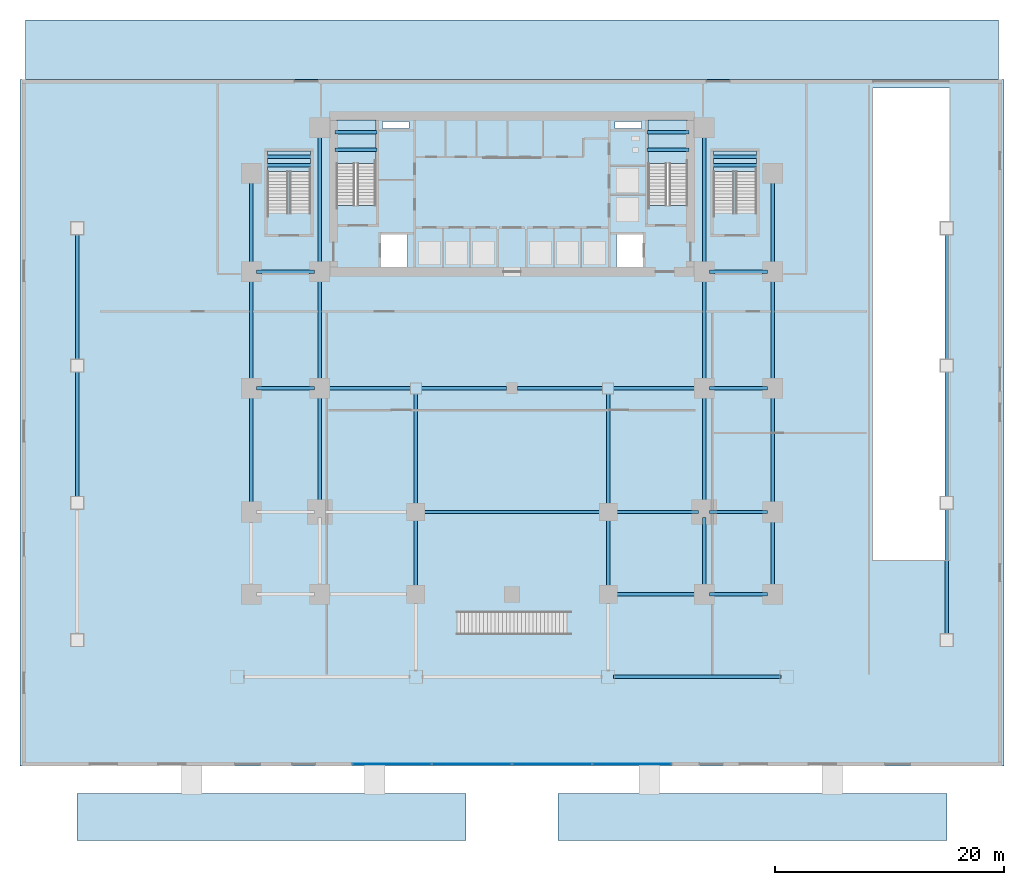
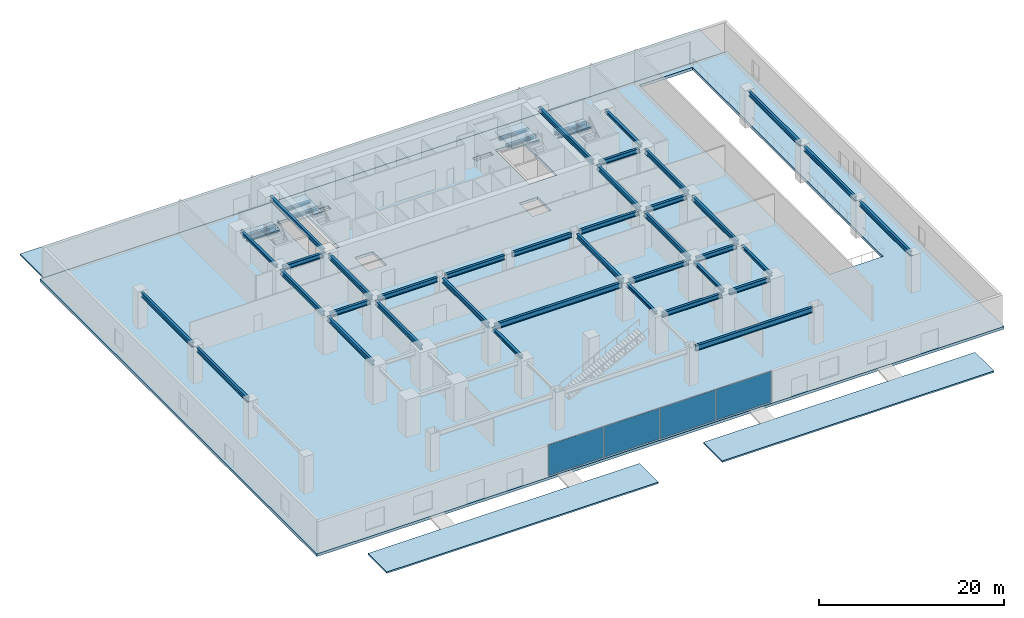
# One storey, part 7 of 18: 45 beams, 8 slabs, 4 plates, 5 elements without a shape of their own.
"""IFC4 building model written with IfcOpenShell, lengths in metres."""

from ifc_helpers import new_model, si_unit, direction, frame, origin, origin_2d, place, context, subcontext, project, spatial, polyline, rectangle, i_section, outline, extrude, source, transform, mapped, material, layer, layer_set, material_profile, profile_set, type_object, element, aggregate, save


model = new_model("IFC4")

# Units and contexts
model_context = context("Model", 3, precision=1e-05, world=origin(), true_north=direction((0.0, 1.0)))
body_context = subcontext(model_context, "Body", "Model", "MODEL_VIEW")
ifc_project = project(units=[si_unit("LENGTHUNIT", "METRE"), si_unit("AREAUNIT", "SQUARE_METRE"), si_unit("VOLUMEUNIT", "CUBIC_METRE"), si_unit("PLANEANGLEUNIT", "RADIAN"), si_unit("MASSUNIT", "GRAM", prefix="KILO")], contexts=[model_context])

# Site, building, storey
site_placement = place(None, origin())
site = spatial("IfcSite", under=ifc_project, at=site_placement, CompositionType="ELEMENT")
building_placement = place(site_placement, origin())
building = spatial("IfcBuilding", under=site, at=building_placement, Name="Sumidabori Civic Tower", CompositionType="ELEMENT")
storey_placement = place(building_placement, origin())
storey = spatial("IfcBuildingStorey", under=building, at=storey_placement, Name="L00", CompositionType="ELEMENT", Elevation=0.0)

# Beams
ifc_material_1 = material(Name="Steel SN490", Category="steel")
ifc_material_profile_1 = material_profile(ifc_material_1, i_section(OverallWidth=0.300048828125, OverallDepth=0.300048828125, WebThickness=0.010986328125, FlangeThickness=0.01904296875, at=origin_2d()), Name="HE 300 B")
ifc_profile_set_1 = profile_set([ifc_material_profile_1], Name="Steel SN490")
beam_type_1 = type_object("IfcBeamType", Name="BM-LDG-300", PredefinedType="BEAM", material=ifc_profile_set_1)
shared_shape_1 = source(origin(), body_context, "Body", "SweptSolid", [
    extrude(i_section(OverallWidth=0.300048828125, OverallDepth=0.300048828125, WebThickness=0.010986328125, FlangeThickness=0.01904296875, at=origin_2d()), origin(), (0.0, 0.0, 1.0), 3.64990234375),
])
for number, where, z_axis, x_axis, name in (
    (1, (-15.449951171875, 20.859130859375, 2.14990234375), (1.0, 0.0, 0.0), (0.0, 1.0, 0.0), "Stair ST-1 Landing Support Beam L00-1A"),
    (2, (-15.449951171875, 22.38330078125, 2.14990234375), (1.0, 0.0, 0.0), (0.0, 1.0, 0.0), "Stair ST-1 Landing Trimmer Beam L00-1B"),
    (3, (11.800048828125, 20.859130859375, 2.14990234375), (1.0, 0.0, 0.0), (0.0, 1.0, 0.0), "Stair ST-2 Landing Support Beam L00-1A"),
    (4, (11.800048828125, 22.38330078125, 2.14990234375), (1.0, 0.0, 0.0), (0.0, 1.0, 0.0), "Stair ST-2 Landing Trimmer Beam L00-1B"),
):
    element("IfcBeam", number, at=place(storey_placement, frame(where, z_axis=z_axis, x_axis=x_axis)), inside=storey, type_object=beam_type_1, Name=name, PredefinedType="BEAM", context=body_context, shape_type="MappedRepresentation", body=[
        mapped(shared_shape_1, transform((0.0, 0.0, 0.0), x_axis=(1.0, 0.0, 0.0), y_axis=(0.0, 1.0, 0.0), z_axis=(0.0, 0.0, 1.0), scale=1.0)),
    ])
ifc_material_profile_2 = material_profile(ifc_material_1, i_section(OverallWidth=0.300048828125, OverallDepth=0.699951171875, WebThickness=0.01708984375, FlangeThickness=0.031982421875, at=origin_2d()), Name="HE 700 B")
ifc_profile_set_2 = profile_set([ifc_material_profile_2], Name="Steel SN490")
beam_type_2 = type_object("IfcBeamType", Name="BM-GIRD-700", PredefinedType="BEAM", material=ifc_profile_set_2)
shared_shape_2 = source(origin(), body_context, "Body", "SweptSolid", [
    extrude(i_section(OverallWidth=0.300048828125, OverallDepth=0.699951171875, WebThickness=0.01708984375, FlangeThickness=0.031982421875, at=origin_2d()), origin(), (0.0, 0.0, 1.0), 14.64013671875),
])
beam_1_placement = place(storey_placement, frame((8.8798828125, -25.199951171875, 4.3701171875), z_axis=(1.0, 0.0, 0.0), x_axis=(0.0, 1.0, 0.0)))
element("IfcBeam", 5, at=beam_1_placement, inside=storey, type_object=beam_type_2, Name="Primary Girder L00 GX-03", PredefinedType="BEAM", context=body_context, shape_type="MappedRepresentation", body=[
    mapped(shared_shape_2, transform((0.0, 0.0, 0.0), x_axis=(1.0, 0.0, 0.0), y_axis=(0.0, 1.0, 0.0), z_axis=(0.0, 0.0, 1.0), scale=1.0)),
])
shared_shape_3 = source(origin(), body_context, "Body", "SweptSolid", [
    extrude(i_section(OverallWidth=0.300048828125, OverallDepth=0.699951171875, WebThickness=0.01708984375, FlangeThickness=0.031982421875, at=origin_2d()), origin(), (0.0, 0.0, 1.0), 15.83984375),
])
beam_2_placement = place(storey_placement, frame((-7.919921875, -10.800048828125, 4.3701171875), z_axis=(1.0, 0.0, 0.0), x_axis=(0.0, 1.0, 0.0)))
element("IfcBeam", 6, at=beam_2_placement, inside=storey, type_object=beam_type_2, Name="Primary Girder L00 GX-10", PredefinedType="BEAM", context=body_context, shape_type="MappedRepresentation", body=[
    mapped(shared_shape_3, transform((0.0, 0.0, 0.0), x_axis=(1.0, 0.0, 0.0), y_axis=(0.0, 1.0, 0.0), z_axis=(0.0, 0.0, 1.0), scale=1.0)),
])
ifc_material_profile_3 = material_profile(ifc_material_1, i_section(OverallWidth=0.300048828125, OverallDepth=0.60009765625, WebThickness=0.015380859375, FlangeThickness=0.030029296875, at=origin_2d()), Name="HE 600 B")
ifc_profile_set_3 = profile_set([ifc_material_profile_3], Name="Steel SN490")
beam_type_3 = type_object("IfcBeamType", Name="BM-GIRD-600", PredefinedType="BEAM", material=ifc_profile_set_3)
shared_shape_4 = source(origin(), body_context, "Body", "SweptSolid", [
    extrude(i_section(OverallWidth=0.300048828125, OverallDepth=0.60009765625, WebThickness=0.015380859375, FlangeThickness=0.030029296875, at=origin_2d()), origin(), (0.0, 0.0, 1.0), 5.0400390625),
])
for number, where, z_axis, x_axis, name in (
    (7, (17.280029296875, -18.0, 4.419921875), (1.0, 0.0, 0.0), (0.0, 1.0, 0.0), "Primary Girder L00 GX-07"),
    (8, (17.280029296875, -10.800048828125, 4.419921875), (1.0, 0.0, 0.0), (0.0, 1.0, 0.0), "Primary Girder L00 GX-12"),
    (9, (-22.320068359375, 0.0, 4.419921875), (1.0, 0.0, 0.0), (0.0, 1.0, 0.0), "Primary Girder L00 GX-13"),
    (10, (17.280029296875, 0.0, 4.419921875), (1.0, 0.0, 0.0), (0.0, 1.0, 0.0), "Primary Girder L00 GX-18"),
    (11, (-22.320068359375, 10.199951171875, 4.419921875), (1.0, 0.0, 0.0), (0.0, 1.0, 0.0), "Primary Girder L00 GX-19"),
    (12, (17.280029296875, 10.199951171875, 4.419921875), (1.0, 0.0, 0.0), (0.0, 1.0, 0.0), "Primary Girder L00 GX-20"),
):
    element("IfcBeam", number, at=place(storey_placement, frame(where, z_axis=z_axis, x_axis=x_axis)), inside=storey, type_object=beam_type_3, Name=name, PredefinedType="BEAM", context=body_context, shape_type="MappedRepresentation", body=[
        mapped(shared_shape_4, transform((0.0, 0.0, 0.0), x_axis=(1.0, 0.0, 0.0), y_axis=(0.0, 1.0, 0.0), z_axis=(0.0, 0.0, 1.0), scale=1.0)),
    ])
shared_shape_5 = source(origin(), body_context, "Body", "SweptSolid", [
    extrude(i_section(OverallWidth=0.300048828125, OverallDepth=0.60009765625, WebThickness=0.015380859375, FlangeThickness=0.030029296875, at=origin_2d()), origin(), (0.0, 0.0, 1.0), 7.440185546875),
])
for number, where, z_axis, x_axis, name in (
    (13, (8.8798828125, -18.0, 4.419921875), (1.0, 0.0, 0.0), (0.0, 1.0, 0.0), "Primary Girder L00 GX-06"),
    (14, (8.8798828125, -10.800048828125, 4.419921875), (1.0, 0.0, 0.0), (0.0, 1.0, 0.0), "Primary Girder L00 GX-11"),
    (15, (-16.320068359375, 0.0, 4.419921875), (1.0, 0.0, 0.0), (0.0, 1.0, 0.0), "Primary Girder L00 GX-14"),
    (16, (8.8798828125, 0.0, 4.419921875), (1.0, 0.0, 0.0), (0.0, 1.0, 0.0), "Primary Girder L00 GX-17"),
):
    element("IfcBeam", number, at=place(storey_placement, frame(where, z_axis=z_axis, x_axis=x_axis)), inside=storey, type_object=beam_type_3, Name=name, PredefinedType="BEAM", context=body_context, shape_type="MappedRepresentation", body=[
        mapped(shared_shape_5, transform((0.0, 0.0, 0.0), x_axis=(1.0, 0.0, 0.0), y_axis=(0.0, 1.0, 0.0), z_axis=(0.0, 0.0, 1.0), scale=1.0)),
    ])
shared_shape_6 = source(origin(), body_context, "Body", "SweptSolid", [
    extrude(i_section(OverallWidth=0.300048828125, OverallDepth=0.60009765625, WebThickness=0.015380859375, FlangeThickness=0.030029296875, at=origin_2d()), origin(), (0.0, 0.0, 1.0), 7.43994140625),
])
for number, where, z_axis, x_axis, name in (
    (17, (-7.919921875, 0.0, 4.419921875), (1.0, 0.0, 0.0), (0.0, 1.0, 0.0), "Primary Girder L00 GX-15"),
    (18, (0.47998046875, 0.0, 4.419921875), (1.0, 0.0, 0.0), (0.0, 1.0, 0.0), "Primary Girder L00 GX-16"),
):
    element("IfcBeam", number, at=place(storey_placement, frame(where, z_axis=z_axis, x_axis=x_axis)), inside=storey, type_object=beam_type_3, Name=name, PredefinedType="BEAM", context=body_context, shape_type="MappedRepresentation", body=[
        mapped(shared_shape_6, transform((0.0, 0.0, 0.0), x_axis=(1.0, 0.0, 0.0), y_axis=(0.0, 1.0, 0.0), z_axis=(0.0, 0.0, 1.0), scale=1.0)),
    ])
shared_shape_7 = source(origin(), body_context, "Body", "SweptSolid", [
    extrude(i_section(OverallWidth=0.300048828125, OverallDepth=0.60009765625, WebThickness=0.015380859375, FlangeThickness=0.030029296875, at=origin_2d()), origin(), (0.0, 0.0, 1.0), 11.0400390625),
])
for number, where, z_axis, x_axis, name in (
    (19, (-38.0, -9.52001953125, 4.419921875), (0.0, 1.0, 0.0), (-1.0, 0.0, 0.0), "Primary Girder L00 GY-22"),
    (20, (-38.0, 2.47998046875, 4.419921875), (0.0, 1.0, 0.0), (-1.0, 0.0, 0.0), "Primary Girder L00 GY-23"),
    (21, (38.0, -21.52001953125, 4.419921875), (0.0, 1.0, 0.0), (-1.0, 0.0, 0.0), "Primary Girder L00 GY-46"),
    (22, (38.0, -9.52001953125, 4.419921875), (0.0, 1.0, 0.0), (-1.0, 0.0, 0.0), "Primary Girder L00 GY-47"),
    (23, (38.0, 2.47998046875, 4.419921875), (0.0, 1.0, 0.0), (-1.0, 0.0, 0.0), "Primary Girder L00 GY-48"),
):
    element("IfcBeam", number, at=place(storey_placement, frame(where, z_axis=z_axis, x_axis=x_axis)), inside=storey, type_object=beam_type_3, Name=name, PredefinedType="BEAM", context=body_context, shape_type="MappedRepresentation", body=[
        mapped(shared_shape_7, transform((0.0, 0.0, 0.0), x_axis=(1.0, 0.0, 0.0), y_axis=(0.0, 1.0, 0.0), z_axis=(0.0, 0.0, 1.0), scale=1.0)),
    ])
ifc_material_profile_4 = material_profile(ifc_material_1, i_section(OverallWidth=0.300048828125, OverallDepth=0.39990234375, WebThickness=0.013427734375, FlangeThickness=0.02392578125, at=origin_2d()), Name="HE 400 B")
ifc_profile_set_4 = profile_set([ifc_material_profile_4], Name="Steel SN490")
beam_type_4 = type_object("IfcBeamType", Name="BM-GIRD-400", PredefinedType="BEAM", material=ifc_profile_set_4)
shared_shape_8 = source(origin(), body_context, "Body", "SweptSolid", [
    extrude(i_section(OverallWidth=0.300048828125, OverallDepth=0.39990234375, WebThickness=0.013427734375, FlangeThickness=0.02392578125, at=origin_2d()), origin(), (0.0, 0.0, 1.0), 6.239990234375),
])
for number, where, z_axis, x_axis, name in (
    (24, (-8.39990234375, -17.52001953125, 4.52001953125), (0.0, 1.0, 0.0), (-1.0, 0.0, 0.0), "Primary Girder L00 GY-33"),
    (25, (8.39990234375, -17.52001953125, 4.52001953125), (0.0, 1.0, 0.0), (-1.0, 0.0, 0.0), "Primary Girder L00 GY-36"),
    (26, (16.800048828125, -17.52001953125, 4.52001953125), (0.0, 1.0, 0.0), (-1.0, 0.0, 0.0), "Primary Girder L00 GY-38"),
    (27, (22.800048828125, -17.52001953125, 4.52001953125), (0.0, 1.0, 0.0), (-1.0, 0.0, 0.0), "Primary Girder L00 GY-42"),
):
    element("IfcBeam", number, at=place(storey_placement, frame(where, z_axis=z_axis, x_axis=x_axis)), inside=storey, type_object=beam_type_4, Name=name, PredefinedType="BEAM", context=body_context, shape_type="MappedRepresentation", body=[
        mapped(shared_shape_8, transform((0.0, 0.0, 0.0), x_axis=(1.0, 0.0, 0.0), y_axis=(0.0, 1.0, 0.0), z_axis=(0.0, 0.0, 1.0), scale=1.0)),
    ])
shared_shape_9 = source(origin(), body_context, "Body", "SweptSolid", [
    extrude(i_section(OverallWidth=0.300048828125, OverallDepth=0.60009765625, WebThickness=0.015380859375, FlangeThickness=0.030029296875, at=origin_2d()), origin(), (0.0, 0.0, 1.0), 9.840087890625),
])
for number, where, z_axis, x_axis, name in (
    (28, (-22.800048828125, -10.320068359375, 4.419921875), (0.0, 1.0, 0.0), (-1.0, 0.0, 0.0), "Primary Girder L00 GY-25"),
    (29, (-16.800048828125, -10.320068359375, 4.419921875), (0.0, 1.0, 0.0), (-1.0, 0.0, 0.0), "Primary Girder L00 GY-29"),
    (30, (-8.39990234375, -10.320068359375, 4.419921875), (0.0, 1.0, 0.0), (-1.0, 0.0, 0.0), "Primary Girder L00 GY-34"),
    (31, (8.39990234375, -10.320068359375, 4.419921875), (0.0, 1.0, 0.0), (-1.0, 0.0, 0.0), "Primary Girder L00 GY-37"),
    (32, (16.800048828125, -10.320068359375, 4.419921875), (0.0, 1.0, 0.0), (-1.0, 0.0, 0.0), "Primary Girder L00 GY-39"),
    (33, (22.800048828125, -10.320068359375, 4.419921875), (0.0, 1.0, 0.0), (-1.0, 0.0, 0.0), "Primary Girder L00 GY-43"),
):
    element("IfcBeam", number, at=place(storey_placement, frame(where, z_axis=z_axis, x_axis=x_axis)), inside=storey, type_object=beam_type_3, Name=name, PredefinedType="BEAM", context=body_context, shape_type="MappedRepresentation", body=[
        mapped(shared_shape_9, transform((0.0, 0.0, 0.0), x_axis=(1.0, 0.0, 0.0), y_axis=(0.0, 1.0, 0.0), z_axis=(0.0, 0.0, 1.0), scale=1.0)),
    ])
shared_shape_10 = source(origin(), body_context, "Body", "SweptSolid", [
    extrude(i_section(OverallWidth=0.300048828125, OverallDepth=0.60009765625, WebThickness=0.015380859375, FlangeThickness=0.030029296875, at=origin_2d()), origin(), (0.0, 0.0, 1.0), 9.239990234375),
])
for number, where, z_axis, x_axis, name in (
    (34, (-22.800048828125, 0.47998046875, 4.419921875), (0.0, 1.0, 0.0), (-1.0, 0.0, 0.0), "Primary Girder L00 GY-26"),
    (35, (-16.800048828125, 0.47998046875, 4.419921875), (0.0, 1.0, 0.0), (-1.0, 0.0, 0.0), "Primary Girder L00 GY-30"),
    (36, (16.800048828125, 0.47998046875, 4.419921875), (0.0, 1.0, 0.0), (-1.0, 0.0, 0.0), "Primary Girder L00 GY-40"),
    (37, (22.800048828125, 0.47998046875, 4.419921875), (0.0, 1.0, 0.0), (-1.0, 0.0, 0.0), "Primary Girder L00 GY-44"),
):
    element("IfcBeam", number, at=place(storey_placement, frame(where, z_axis=z_axis, x_axis=x_axis)), inside=storey, type_object=beam_type_3, Name=name, PredefinedType="BEAM", context=body_context, shape_type="MappedRepresentation", body=[
        mapped(shared_shape_10, transform((0.0, 0.0, 0.0), x_axis=(1.0, 0.0, 0.0), y_axis=(0.0, 1.0, 0.0), z_axis=(0.0, 0.0, 1.0), scale=1.0)),
    ])
shared_shape_11 = source(origin(), body_context, "Body", "SweptSolid", [
    extrude(i_section(OverallWidth=0.300048828125, OverallDepth=0.39990234375, WebThickness=0.013427734375, FlangeThickness=0.02392578125, at=origin_2d()), origin(), (0.0, 0.0, 1.0), 7.64013671875),
])
for number, where, z_axis, x_axis, name in (
    (38, (-22.800048828125, 10.679931640625, 4.52001953125), (0.0, 1.0, 0.0), (-1.0, 0.0, 0.0), "Primary Girder L00 GY-27"),
    (39, (22.800048828125, 10.679931640625, 4.52001953125), (0.0, 1.0, 0.0), (-1.0, 0.0, 0.0), "Primary Girder L00 GY-45"),
):
    element("IfcBeam", number, at=place(storey_placement, frame(where, z_axis=z_axis, x_axis=x_axis)), inside=storey, type_object=beam_type_4, Name=name, PredefinedType="BEAM", context=body_context, shape_type="MappedRepresentation", body=[
        mapped(shared_shape_11, transform((0.0, 0.0, 0.0), x_axis=(1.0, 0.0, 0.0), y_axis=(0.0, 1.0, 0.0), z_axis=(0.0, 0.0, 1.0), scale=1.0)),
    ])
shared_shape_12 = source(origin(), body_context, "Body", "SweptSolid", [
    extrude(i_section(OverallWidth=0.300048828125, OverallDepth=0.60009765625, WebThickness=0.015380859375, FlangeThickness=0.030029296875, at=origin_2d()), origin(), (0.0, 0.0, 1.0), 11.64013671875),
])
for number, where, z_axis, x_axis, name in (
    (40, (-16.800048828125, 10.679931640625, 4.419921875), (0.0, 1.0, 0.0), (-1.0, 0.0, 0.0), "Primary Girder L00 GY-31"),
    (41, (16.800048828125, 10.679931640625, 4.419921875), (0.0, 1.0, 0.0), (-1.0, 0.0, 0.0), "Primary Girder L00 GY-41"),
):
    element("IfcBeam", number, at=place(storey_placement, frame(where, z_axis=z_axis, x_axis=x_axis)), inside=storey, type_object=beam_type_3, Name=name, PredefinedType="BEAM", context=body_context, shape_type="MappedRepresentation", body=[
        mapped(shared_shape_12, transform((0.0, 0.0, 0.0), x_axis=(1.0, 0.0, 0.0), y_axis=(0.0, 1.0, 0.0), z_axis=(0.0, 0.0, 1.0), scale=1.0)),
    ])
shared_shape_13 = source(origin(), body_context, "Body", "SweptSolid", [
    extrude(i_section(OverallWidth=0.300048828125, OverallDepth=0.300048828125, WebThickness=0.010986328125, FlangeThickness=0.01904296875, at=origin_2d()), origin(), (0.0, 0.0, 1.0), 4.0),
])
for number, where, z_axis, x_axis, name in (
    (42, (-21.47998046875, 19.51611328125, 2.14990234375), (1.0, 0.0, 0.0), (0.0, 1.0, 0.0), "Stair ST-3 Landing Support Beam L00-1A"),
    (43, (-21.47998046875, 20.236083984375, 2.14990234375), (1.0, 0.0, 0.0), (0.0, 1.0, 0.0), "Stair ST-3 Landing Trimmer Beam L00-1B"),
    (44, (17.47998046875, 19.51611328125, 2.14990234375), (1.0, 0.0, 0.0), (0.0, 1.0, 0.0), "Stair ST-4 Landing Support Beam L00-1A"),
    (45, (17.47998046875, 20.236083984375, 2.14990234375), (1.0, 0.0, 0.0), (0.0, 1.0, 0.0), "Stair ST-4 Landing Trimmer Beam L00-1B"),
):
    element("IfcBeam", number, at=place(storey_placement, frame(where, z_axis=z_axis, x_axis=x_axis)), inside=storey, type_object=beam_type_1, Name=name, PredefinedType="BEAM", context=body_context, shape_type="MappedRepresentation", body=[
        mapped(shared_shape_13, transform((0.0, 0.0, 0.0), x_axis=(1.0, 0.0, 0.0), y_axis=(0.0, 1.0, 0.0), z_axis=(0.0, 0.0, 1.0), scale=1.0)),
    ])

# Slab
ifc_material_2 = material(Name="Concrete C40/50", Category="concrete")
ifc_layer_1 = layer(ifc_material_2, 0.360107421875, Name="Concrete C40/50")
ifc_layer_set_1 = layer_set([ifc_layer_1], Name="Concrete C40/50")
slab_type_1 = type_object("IfcSlabType", Name="SL-L00-360", PredefinedType="FLOOR", material=ifc_layer_set_1)
slab_1_placement = place(storey_placement, frame((0.0, 0.0, -0.360107421875)))
element("IfcSlab", 46, at=slab_1_placement, inside=storey, type_object=slab_type_1, Name="Structural Slab L00", PredefinedType="FLOOR", context=body_context, shape_type="SweptSolid", body=[
    extrude(outline(polyline([(-43.0, -33.0), (43.0, -33.0), (43.0, 27.0), (-43.0, 27.0), (-43.0, -33.0)]), holes=[polyline([(-11.89990234375, 16.0), (-11.89990234375, 23.449951171875), (-15.340087890625, 23.449951171875), (-15.340087890625, 16.0), (-11.89990234375, 16.0)]), polyline([(15.340087890625, 16.0), (15.340087890625, 23.449951171875), (11.89990234375, 23.449951171875), (11.89990234375, 16.0), (15.340087890625, 16.0)]), polyline([(-11.449951171875, 10.550048828125), (-9.14990234375, 10.550048828125), (-9.14990234375, 13.449951171875), (-11.449951171875, 13.449951171875), (-11.449951171875, 10.550048828125)]), polyline([(9.14990234375, 10.550048828125), (11.449951171875, 10.550048828125), (11.449951171875, 13.449951171875), (9.14990234375, 13.449951171875), (9.14990234375, 10.550048828125)]), polyline([(-11.300048828125, 22.719970703125), (-9.0, 22.719970703125), (-9.0, 23.35009765625), (-11.300048828125, 23.35009765625), (-11.300048828125, 22.719970703125)]), polyline([(9.0, 22.719970703125), (11.300048828125, 22.719970703125), (11.300048828125, 23.35009765625), (9.0, 23.35009765625), (9.0, 22.719970703125)]), polyline([(31.550048828125, -15.0), (38.25, -15.0), (38.25, 26.25), (31.550048828125, 26.25), (31.550048828125, -15.0)])]), origin(), (0.0, 0.0, 1.0), 0.360107421875),
])

# Stair, slab
stair_type_1 = type_object("IfcStairType", Name="ST-CORE-1600", PredefinedType="HALF_TURN_STAIR", material=ifc_material_2)
stair_1_placement = place(storey_placement, origin())
stair_1 = element("IfcStair", 47, at=stair_1_placement, inside=storey, type_object=stair_type_1, Name="L00 ST-1", PredefinedType="HALF_TURN_STAIR")
ifc_layer_2 = layer(ifc_material_2, 0.199951171875, Name="Concrete C40/50")
ifc_layer_set_2 = layer_set([ifc_layer_2], Name="Concrete C40/50")
slab_type_2 = type_object("IfcSlabType", Name="SL-LAND-200", PredefinedType="LANDING", material=ifc_layer_set_2)
slab_2_placement = place(storey_placement, frame((0.0, 0.0, 2.300048828125)))
slab_2 = element("IfcSlab", 48, at=slab_2_placement, type_object=slab_type_2, Name="ST-1 landing 1", PredefinedType="LANDING", context=body_context, shape_type="SweptSolid", body=[
    extrude(outline(polyline([(-11.89990234375, 19.639892578125), (-11.89990234375, 23.449951171875), (-15.340087890625, 23.449951171875), (-15.340087890625, 19.639892578125), (-11.89990234375, 19.639892578125)])), origin(), (0.0, 0.0, 1.0), 0.199951171875),
])
aggregate(stair_1, [slab_2])

stair_2_placement = place(storey_placement, origin())
stair_2 = element("IfcStair", 49, at=stair_2_placement, inside=storey, type_object=stair_type_1, Name="L00 ST-2", PredefinedType="HALF_TURN_STAIR")
slab_3_placement = place(storey_placement, frame((0.0, 0.0, 2.300048828125)))
slab_3 = element("IfcSlab", 50, at=slab_3_placement, type_object=slab_type_2, Name="ST-2 landing 1", PredefinedType="LANDING", context=body_context, shape_type="SweptSolid", body=[
    extrude(outline(polyline([(15.340087890625, 19.639892578125), (15.340087890625, 23.449951171875), (11.89990234375, 23.449951171875), (11.89990234375, 19.639892578125), (15.340087890625, 19.639892578125)])), origin(), (0.0, 0.0, 1.0), 0.199951171875),
])
aggregate(stair_2, [slab_3])

stair_type_2 = type_object("IfcStairType", Name="ST-POD-1800", PredefinedType="HALF_TURN_STAIR", material=ifc_material_2)
stair_3_placement = place(storey_placement, origin())
stair_3 = element("IfcStair", 51, at=stair_3_placement, inside=storey, type_object=stair_type_2, Name="L00 ST-3", PredefinedType="HALF_TURN_STAIR")
slab_4_placement = place(storey_placement, frame((0.0, 0.0, 2.300048828125)))
slab_4 = element("IfcSlab", 52, at=slab_4_placement, type_object=slab_type_2, Name="ST-3 landing 1", PredefinedType="LANDING", context=body_context, shape_type="SweptSolid", body=[
    extrude(outline(polyline([(-17.60009765625, 18.93994140625), (-17.60009765625, 20.739990234375), (-21.360107421875, 20.739990234375), (-21.360107421875, 18.93994140625), (-17.60009765625, 18.93994140625)])), origin(), (0.0, 0.0, 1.0), 0.199951171875),
])
aggregate(stair_3, [slab_4])

stair_4_placement = place(storey_placement, origin())
stair_4 = element("IfcStair", 53, at=stair_4_placement, inside=storey, type_object=stair_type_2, Name="L00 ST-4", PredefinedType="HALF_TURN_STAIR")
slab_5_placement = place(storey_placement, frame((0.0, 0.0, 2.300048828125)))
slab_5 = element("IfcSlab", 54, at=slab_5_placement, type_object=slab_type_2, Name="ST-4 landing 1", PredefinedType="LANDING", context=body_context, shape_type="SweptSolid", body=[
    extrude(outline(polyline([(21.360107421875, 18.93994140625), (21.360107421875, 20.739990234375), (17.60009765625, 20.739990234375), (17.60009765625, 18.93994140625), (21.360107421875, 18.93994140625)])), origin(), (0.0, 0.0, 1.0), 0.199951171875),
])
aggregate(stair_4, [slab_5])

# Slabs
ifc_layer_3 = layer(ifc_material_2, 0.199951171875, Name="Concrete C40/50")
ifc_layer_set_3 = layer_set([ifc_layer_3], Name="Concrete C40/50")
slab_type_3 = type_object("IfcSlabType", Name="SL-PLAZA-200", PredefinedType="USERDEFINED", material=ifc_layer_set_3)
slab_6_placement = place(storey_placement, frame((0.0, 0.0, -0.39990234375)))
element("IfcSlab", 55, at=slab_6_placement, inside=storey, type_object=slab_type_3, Name="Civic Forecourt Stone Plaza West", ObjectType="PAVING", PredefinedType="USERDEFINED", context=body_context, shape_type="SweptSolid", body=[
    extrude(outline(polyline([(-38.0, -39.5), (-4.0, -39.5), (-4.0, -35.419921875), (-38.0, -35.419921875), (-38.0, -39.5)])), origin(), (0.0, 0.0, 1.0), 0.199951171875),
])
slab_7_placement = place(storey_placement, frame((0.0, 0.0, -0.39990234375)))
element("IfcSlab", 56, at=slab_7_placement, inside=storey, type_object=slab_type_3, Name="Civic Forecourt Stone Plaza East", ObjectType="PAVING", PredefinedType="USERDEFINED", context=body_context, shape_type="SweptSolid", body=[
    extrude(outline(polyline([(4.0, -39.5), (38.0, -39.5), (38.0, -35.419921875), (4.0, -35.419921875), (4.0, -39.5)])), origin(), (0.0, 0.0, 1.0), 0.199951171875),
])
slab_8_placement = place(storey_placement, frame((0.0, 0.0, -0.199951171875)))
element("IfcSlab", 57, at=slab_8_placement, inside=storey, type_object=slab_type_3, Name="North Street Exit and Ramp Apron", ObjectType="PAVING", PredefinedType="USERDEFINED", context=body_context, shape_type="SweptSolid", body=[
    extrude(outline(polyline([(-42.5, 27.02001953125), (42.5, 27.02001953125), (42.5, 32.199951171875), (-42.5, 32.199951171875), (-42.5, 27.02001953125)])), origin(), (0.0, 0.0, 1.0), 0.199951171875),
])

# Curtain wall, plates
ifc_material_3 = material(Name="Anodised Bronze Aluminium AW-6063-T6", Category="aluminium")
ifc_layer_4 = layer(ifc_material_3, 0.179931640625, Name="Anodised Bronze Aluminium AW-6063-T6")
ifc_layer_set_4 = layer_set([ifc_layer_4], Name="Anodised Bronze Aluminium AW-6063-T6")
curtain_wall_type = type_object("IfcCurtainWallType", Name="CW-SYS-1", PredefinedType="NOTDEFINED", material=ifc_layer_set_4)
curtain_wall_placement = place(storey_placement, origin())
curtain_wall = element("IfcCurtainWall", 58, at=curtain_wall_placement, inside=storey, type_object=curtain_wall_type, Name="Curtain Wall CW:L00:SOUTH", PredefinedType="NOTDEFINED")
ifc_material_4 = material(Name="Low-E Vision Double Glazing", Category="glass")
ifc_layer_5 = layer(ifc_material_4, 0.031982421875, Name="Low-E Vision Double Glazing")
ifc_layer_set_5 = layer_set([ifc_layer_5], Name="Low-E Vision Double Glazing")
plate_type = type_object("IfcPlateType", Name="CW-PNL-32", PredefinedType="CURTAIN_PANEL", material=ifc_layer_set_5)
shared_shape_14 = source(origin(), body_context, "Body", "SweptSolid", [
    extrude(rectangle(XDim=6.89501953125, YDim=0.031982421875, at=origin_2d()), origin(), (0.0, 0.0, 1.0), 4.090087890625),
])
plate_1_placement = place(storey_placement, frame((10.482421875, -32.820068359375, 0.06494140625), z_axis=(0.0, 0.0, 1.0), x_axis=(-1.0, 0.0, 0.0)))
plate_1 = element("IfcPlate", 59, at=plate_1_placement, type_object=plate_type, Name="CW-1 panel 1.1", PredefinedType="CURTAIN_PANEL", context=body_context, shape_type="MappedRepresentation", body=[
    mapped(shared_shape_14, transform((0.0, 0.0, 0.0), x_axis=(1.0, 0.0, 0.0), y_axis=(0.0, 1.0, 0.0), z_axis=(0.0, 0.0, 1.0), scale=1.0)),
])
plate_2_placement = place(storey_placement, frame((-10.482421875, -32.820068359375, 0.06494140625), z_axis=(0.0, 0.0, 1.0), x_axis=(-1.0, 0.0, 0.0)))
plate_2 = element("IfcPlate", 60, at=plate_2_placement, type_object=plate_type, Name="CW-1 panel 4.1", PredefinedType="CURTAIN_PANEL", context=body_context, shape_type="MappedRepresentation", body=[
    mapped(shared_shape_14, transform((0.0, 0.0, 0.0), x_axis=(1.0, 0.0, 0.0), y_axis=(0.0, 1.0, 0.0), z_axis=(0.0, 0.0, 1.0), scale=1.0)),
])
shared_shape_15 = source(origin(), body_context, "Body", "SweptSolid", [
    extrude(rectangle(XDim=6.929931640625, YDim=0.031982421875, at=origin_2d()), origin(), (0.0, 0.0, 1.0), 4.090087890625),
])
plate_3_placement = place(storey_placement, frame((3.5, -32.820068359375, 0.06494140625), z_axis=(0.0, 0.0, 1.0), x_axis=(-1.0, 0.0, 0.0)))
plate_3 = element("IfcPlate", 61, at=plate_3_placement, type_object=plate_type, Name="CW-1 panel 2.1", PredefinedType="CURTAIN_PANEL", context=body_context, shape_type="MappedRepresentation", body=[
    mapped(shared_shape_15, transform((0.0, 0.0, 0.0), x_axis=(1.0, 0.0, 0.0), y_axis=(0.0, 1.0, 0.0), z_axis=(0.0, 0.0, 1.0), scale=1.0)),
])
plate_4_placement = place(storey_placement, frame((-3.5, -32.820068359375, 0.06494140625), z_axis=(0.0, 0.0, 1.0), x_axis=(-1.0, 0.0, 0.0)))
plate_4 = element("IfcPlate", 62, at=plate_4_placement, type_object=plate_type, Name="CW-1 panel 3.1", PredefinedType="CURTAIN_PANEL", context=body_context, shape_type="MappedRepresentation", body=[
    mapped(shared_shape_15, transform((0.0, 0.0, 0.0), x_axis=(1.0, 0.0, 0.0), y_axis=(0.0, 1.0, 0.0), z_axis=(0.0, 0.0, 1.0), scale=1.0)),
])
aggregate(curtain_wall, [plate_1, plate_3, plate_4, plate_2])

save(model, "model.ifc")
